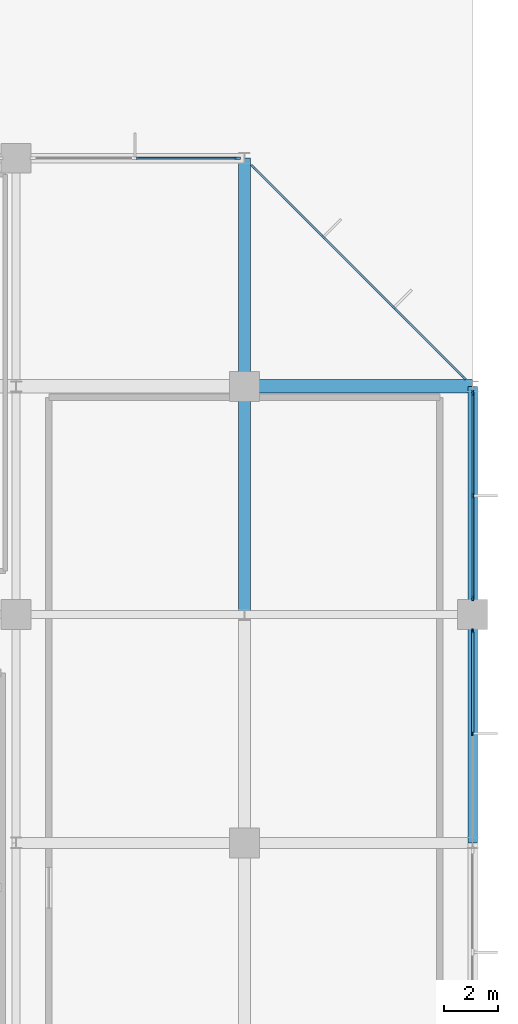
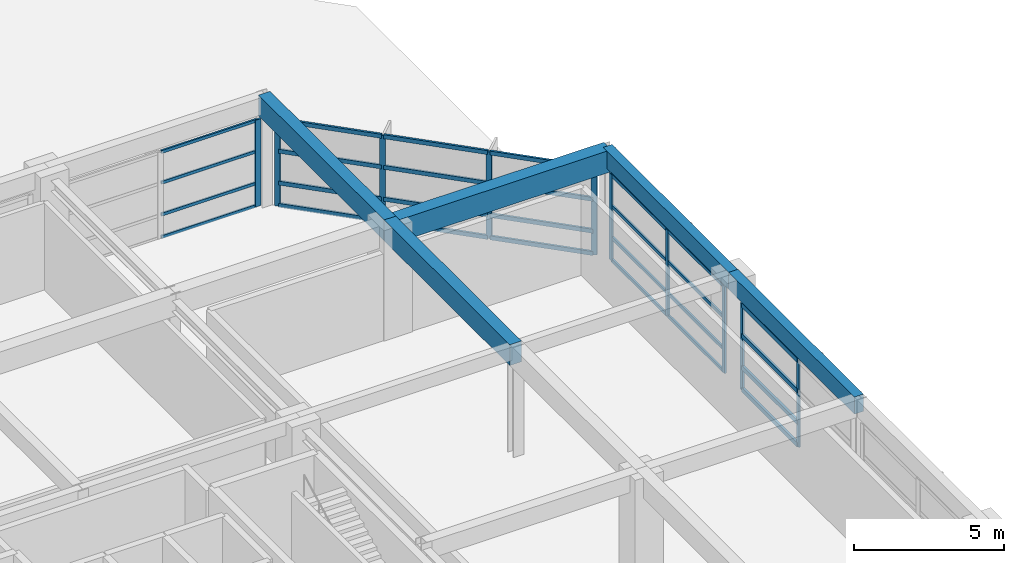
# One storey, part 35 of 47: 38 members, 5 beams, 4 elements without a shape of their own.
"""IFC4 building model written with IfcOpenShell, lengths in metres."""

from ifc_helpers import new_model, si_unit, direction, frame, origin, origin_2d, place, context, subcontext, project, spatial, rectangle, extrude, material, material_profile, profile_set, type_object, element, aggregate, save


model = new_model("IFC4")

# Units and contexts
model_context = context("Model", 3, precision=1e-05, world=origin(), true_north=direction((0.0, 1.0)))
body_context = subcontext(model_context, "Body", "Model", "MODEL_VIEW")
ifc_project = project(units=[si_unit("LENGTHUNIT", "METRE"), si_unit("AREAUNIT", "SQUARE_METRE"), si_unit("VOLUMEUNIT", "CUBIC_METRE"), si_unit("PLANEANGLEUNIT", "RADIAN"), si_unit("MASSUNIT", "GRAM", prefix="KILO")], contexts=[model_context])

# Site, building, storey
site_placement = place(None, origin())
site = spatial("IfcSite", under=ifc_project, at=site_placement, CompositionType="ELEMENT")
building_placement = place(site_placement, origin())
building = spatial("IfcBuilding", under=site, at=building_placement, Name="Xuanlan Plaza Opera House", CompositionType="ELEMENT")
storey_placement = place(building_placement, frame((0.0, 0.0, 23.39990234375)))
storey = spatial("IfcBuildingStorey", under=building, at=storey_placement, Name="L05", CompositionType="ELEMENT", Elevation=23.39990234375)

# Curtain wall, members
ifc_material_1 = material(Name="Anodised Aluminium 6063-T6 and Low-E Glass", Category="aluminium")
curtain_wall_type_1 = type_object("IfcCurtainWallType", Name="ENV-CW-CW-02", PredefinedType="USERDEFINED", material=ifc_material_1)
curtain_wall_1_placement = place(storey_placement, origin())
curtain_wall_1 = element("IfcCurtainWall", 1, at=curtain_wall_1_placement, inside=storey, type_object=curtain_wall_type_1, Name="Unitised Curtain Wall L05-019", ObjectType="UNITISED CURTAIN WALL", PredefinedType="USERDEFINED")
ifc_material_2 = material(Name="Anodised Aluminium 6063-T6", Category="aluminium")
ifc_material_profile_1 = material_profile(ifc_material_2, rectangle(XDim=0.06494140625, YDim=0.159912109375, at=origin_2d()), Name="ALU-M 65x160")
ifc_profile_set_1 = profile_set([ifc_material_profile_1], Name="Anodised Aluminium 6063-T6")
member_type_1 = type_object("IfcMemberType", Name="ENV-CWM-01", PredefinedType="MULLION", material=ifc_profile_set_1)
member_1_placement = place(storey_placement, frame((168.0, 62.824951171875, 0.0), z_axis=(0.0, 0.0, 1.0), x_axis=(-1.0, 0.0, 0.0)))
member_1 = element("IfcMember", 2, at=member_1_placement, type_object=member_type_1, Name="CW-02 mullion 2", PredefinedType="MULLION", context=body_context, shape_type="SweptSolid", body=[
    extrude(rectangle(XDim=0.06494140625, YDim=0.159912109375, at=origin_2d()), origin(), (0.0, 0.0, 1.0), 3.5400390625),
])
member_2_placement = place(storey_placement, frame((168.0, 66.597412109375, 0.0), z_axis=(0.0, 0.0, 1.0), x_axis=(-1.0, 0.0, 0.0)))
member_2 = element("IfcMember", 3, at=member_2_placement, type_object=member_type_1, Name="CW-02 mullion 3", PredefinedType="MULLION", context=body_context, shape_type="SweptSolid", body=[
    extrude(rectangle(XDim=0.06494140625, YDim=0.159912109375, at=origin_2d()), origin(), (0.0, 0.0, 1.0), 3.5400390625),
])

curtain_wall_type_2 = type_object("IfcCurtainWallType", Name="ENV-CW-CW-03", PredefinedType="USERDEFINED", material=ifc_material_1)
curtain_wall_2_placement = place(storey_placement, origin())
curtain_wall_2 = element("IfcCurtainWall", 4, at=curtain_wall_2_placement, inside=storey, type_object=curtain_wall_type_2, Name="Unitised Curtain Wall L05-020", ObjectType="UNITISED CURTAIN WALL", PredefinedType="USERDEFINED")
ifc_material_profile_2 = material_profile(ifc_material_2, rectangle(XDim=0.070068359375, YDim=0.179931640625, at=origin_2d()), Name="ALU-M 70x180")
ifc_profile_set_2 = profile_set([ifc_material_profile_2], Name="Anodised Aluminium 6063-T6")
member_type_2 = type_object("IfcMemberType", Name="ENV-CWM-02", PredefinedType="MULLION", material=ifc_profile_set_2)
member_3_placement = place(storey_placement, frame((168.0, 67.804931640625, 0.0), z_axis=(0.0, 0.0, 1.0), x_axis=(-1.0, 0.0, 0.0)))
member_3 = element("IfcMember", 5, at=member_3_placement, type_object=member_type_2, Name="CW-03 mullion 1", PredefinedType="MULLION", context=body_context, shape_type="SweptSolid", body=[
    extrude(rectangle(XDim=0.070068359375, YDim=0.179931640625, at=origin_2d()), origin(), (0.0, 0.0, 1.0), 3.5400390625),
])
member_4_placement = place(storey_placement, frame((168.0, 71.574951171875, 0.0), z_axis=(0.0, 0.0, 1.0), x_axis=(-1.0, 0.0, 0.0)))
member_4 = element("IfcMember", 6, at=member_4_placement, type_object=member_type_2, Name="CW-03 mullion 2", PredefinedType="MULLION", context=body_context, shape_type="SweptSolid", body=[
    extrude(rectangle(XDim=0.070068359375, YDim=0.179931640625, at=origin_2d()), origin(), (0.0, 0.0, 1.0), 3.5400390625),
])
member_5_placement = place(storey_placement, frame((168.0, 75.344970703125, 0.0), z_axis=(0.0, 0.0, 1.0), x_axis=(-1.0, 0.0, 0.0)))
member_5 = element("IfcMember", 7, at=member_5_placement, type_object=member_type_2, Name="CW-03 mullion 3", PredefinedType="MULLION", context=body_context, shape_type="SweptSolid", body=[
    extrude(rectangle(XDim=0.070068359375, YDim=0.179931640625, at=origin_2d()), origin(), (0.0, 0.0, 1.0), 3.5400390625),
])

curtain_wall_type_3 = type_object("IfcCurtainWallType", Name="ENV-CW-CW-04", PredefinedType="USERDEFINED", material=ifc_material_1)
curtain_wall_3_placement = place(storey_placement, origin())
curtain_wall_3 = element("IfcCurtainWall", 8, at=curtain_wall_3_placement, inside=storey, type_object=curtain_wall_type_3, Name="Unitised Curtain Wall L05-021", ObjectType="UNITISED CURTAIN WALL", PredefinedType="USERDEFINED")
ifc_material_profile_3 = material_profile(ifc_material_2, rectangle(XDim=0.074951171875, YDim=0.199951171875, at=origin_2d()), Name="ALU-M 75x200")
ifc_profile_set_3 = profile_set([ifc_material_profile_3], Name="Anodised Aluminium 6063-T6")
member_type_3 = type_object("IfcMemberType", Name="ENV-CWM-03", PredefinedType="MULLION", material=ifc_profile_set_3)
member_6_placement = place(storey_placement, frame((167.674560546875, 75.925537109375, 0.0), z_axis=(0.0, 0.0, 1.0), x_axis=(-0.707106781187, -0.707106781187, 0.0)))
member_6 = element("IfcMember", 9, at=member_6_placement, type_object=member_type_3, Name="CW-04 mullion 1", PredefinedType="MULLION", context=body_context, shape_type="SweptSolid", body=[
    extrude(rectangle(XDim=0.074951171875, YDim=0.199951171875, at=origin_2d()), origin(), (0.0, 0.0, 1.0), 3.5400390625),
])
member_7_placement = place(storey_placement, frame((165.100341796875, 78.499755859375, 0.0), z_axis=(0.0, 0.0, 1.0), x_axis=(-0.707106781187, -0.707106781187, 0.0)))
member_7 = element("IfcMember", 10, at=member_7_placement, type_object=member_type_3, Name="CW-04 mullion 2", PredefinedType="MULLION", context=body_context, shape_type="SweptSolid", body=[
    extrude(rectangle(XDim=0.074951171875, YDim=0.199951171875, at=origin_2d()), origin(), (0.0, 0.0, 1.0), 3.5400390625),
])
member_8_placement = place(storey_placement, frame((162.499755859375, 81.100341796875, 0.0), z_axis=(0.0, 0.0, 1.0), x_axis=(-0.707106781187, -0.707106781187, 0.0)))
member_8 = element("IfcMember", 11, at=member_8_placement, type_object=member_type_3, Name="CW-04 mullion 3", PredefinedType="MULLION", context=body_context, shape_type="SweptSolid", body=[
    extrude(rectangle(XDim=0.074951171875, YDim=0.199951171875, at=origin_2d()), origin(), (0.0, 0.0, 1.0), 3.5400390625),
])
member_9_placement = place(storey_placement, frame((159.925537109375, 83.674560546875, 0.0), z_axis=(0.0, 0.0, 1.0), x_axis=(-0.707106781187, -0.707106781187, 0.0)))
member_9 = element("IfcMember", 12, at=member_9_placement, type_object=member_type_3, Name="CW-04 mullion 4", PredefinedType="MULLION", context=body_context, shape_type="SweptSolid", body=[
    extrude(rectangle(XDim=0.074951171875, YDim=0.199951171875, at=origin_2d()), origin(), (0.0, 0.0, 1.0), 3.5400390625),
])

curtain_wall_type_4 = type_object("IfcCurtainWallType", Name="ENV-CW-CW-01", PredefinedType="USERDEFINED", material=ifc_material_1)
curtain_wall_4_placement = place(storey_placement, origin())
curtain_wall_4 = element("IfcCurtainWall", 13, at=curtain_wall_4_placement, inside=storey, type_object=curtain_wall_type_4, Name="Unitised Curtain Wall L05-022", ObjectType="UNITISED CURTAIN WALL", PredefinedType="USERDEFINED")
ifc_material_profile_4 = material_profile(ifc_material_2, rectangle(XDim=0.080078125, YDim=0.219970703125, at=origin_2d()), Name="ALU-M 80x220")
ifc_profile_set_4 = profile_set([ifc_material_profile_4], Name="Anodised Aluminium 6063-T6")
member_type_4 = type_object("IfcMemberType", Name="ENV-CWM-04", PredefinedType="MULLION", material=ifc_profile_set_4)
member_10_placement = place(storey_placement, frame((159.340087890625, 84.0, 0.0), z_axis=(0.0, 0.0, 1.0), x_axis=(0.0, -1.0, 0.0)))
member_10 = element("IfcMember", 14, at=member_10_placement, type_object=member_type_4, Name="CW-01 mullion 1", PredefinedType="MULLION", context=body_context, shape_type="SweptSolid", body=[
    extrude(rectangle(XDim=0.080078125, YDim=0.219970703125, at=origin_2d()), origin(), (0.0, 0.0, 1.0), 3.5400390625),
])
ifc_material_profile_5 = material_profile(ifc_material_2, rectangle(XDim=0.06494140625, YDim=0.1201171875, at=origin_2d()), Name="ALU-T 65x120")
ifc_profile_set_5 = profile_set([ifc_material_profile_5], Name="Anodised Aluminium 6063-T6")
member_type_5 = type_object("IfcMemberType", Name="ENV-CWT-01", PredefinedType="USERDEFINED", material=ifc_profile_set_5)
member_11_placement = place(storey_placement, frame((159.300048828125, 84.0, 0.03271484375), z_axis=(-1.0, 0.0, 0.0), x_axis=(0.0, -1.0, 0.0)))
member_11 = element("IfcMember", 15, at=member_11_placement, type_object=member_type_5, Name="CW-01 transom 1.1", ObjectType="TRANSOM", PredefinedType="USERDEFINED", context=body_context, shape_type="SweptSolid", body=[
    extrude(rectangle(XDim=0.06494140625, YDim=0.1201171875, at=origin_2d()), origin(), (0.0, 0.0, 1.0), 3.68505859375),
])
member_12_placement = place(storey_placement, frame((159.300048828125, 84.0, 0.9501953125), z_axis=(-1.0, 0.0, 0.0), x_axis=(0.0, -1.0, 0.0)))
member_12 = element("IfcMember", 16, at=member_12_placement, type_object=member_type_5, Name="CW-01 transom 1.2", ObjectType="TRANSOM", PredefinedType="USERDEFINED", context=body_context, shape_type="SweptSolid", body=[
    extrude(rectangle(XDim=0.06494140625, YDim=0.1201171875, at=origin_2d()), origin(), (0.0, 0.0, 1.0), 3.68505859375),
])
member_13_placement = place(storey_placement, frame((159.300048828125, 84.0, 2.25), z_axis=(-1.0, 0.0, 0.0), x_axis=(0.0, -1.0, 0.0)))
member_13 = element("IfcMember", 17, at=member_13_placement, type_object=member_type_5, Name="CW-01 transom 1.3", ObjectType="TRANSOM", PredefinedType="USERDEFINED", context=body_context, shape_type="SweptSolid", body=[
    extrude(rectangle(XDim=0.06494140625, YDim=0.1201171875, at=origin_2d()), origin(), (0.0, 0.0, 1.0), 3.68505859375),
])
member_14_placement = place(storey_placement, frame((159.300048828125, 84.0, 3.507568359375), z_axis=(-1.0, 0.0, 0.0), x_axis=(0.0, -1.0, 0.0)))
member_14 = element("IfcMember", 18, at=member_14_placement, type_object=member_type_5, Name="CW-01 transom 1.4", ObjectType="TRANSOM", PredefinedType="USERDEFINED", context=body_context, shape_type="SweptSolid", body=[
    extrude(rectangle(XDim=0.06494140625, YDim=0.1201171875, at=origin_2d()), origin(), (0.0, 0.0, 1.0), 3.68505859375),
])
aggregate(curtain_wall_4, [member_10, member_11, member_12, member_13, member_14])

# Member
ifc_material_profile_6 = material_profile(ifc_material_2, rectangle(XDim=0.070068359375, YDim=0.135009765625, at=origin_2d()), Name="ALU-T 70x135")
ifc_profile_set_6 = profile_set([ifc_material_profile_6], Name="Anodised Aluminium 6063-T6")
member_type_6 = type_object("IfcMemberType", Name="ENV-CWT-02", PredefinedType="USERDEFINED", material=ifc_profile_set_6)
member_15_placement = place(storey_placement, frame((168.0, 67.840087890625, 0.03515625), z_axis=(0.0, 1.0, 0.0), x_axis=(-1.0, 0.0, 0.0)))
member_15 = element("IfcMember", 19, at=member_15_placement, type_object=member_type_6, Name="CW-03 transom 1.1", ObjectType="TRANSOM", PredefinedType="USERDEFINED", context=body_context, shape_type="SweptSolid", body=[
    extrude(rectangle(XDim=0.070068359375, YDim=0.135009765625, at=origin_2d()), origin(), (0.0, 0.0, 1.0), 3.699951171875),
])

member_16_placement = place(storey_placement, frame((168.0, 67.840087890625, 0.9501953125), z_axis=(0.0, 1.0, 0.0), x_axis=(-1.0, 0.0, 0.0)))
member_16 = element("IfcMember", 20, at=member_16_placement, type_object=member_type_6, Name="CW-03 transom 1.2", ObjectType="TRANSOM", PredefinedType="USERDEFINED", context=body_context, shape_type="SweptSolid", body=[
    extrude(rectangle(XDim=0.070068359375, YDim=0.135009765625, at=origin_2d()), origin(), (0.0, 0.0, 1.0), 3.699951171875),
])

member_17_placement = place(storey_placement, frame((168.0, 67.840087890625, 2.25), z_axis=(0.0, 1.0, 0.0), x_axis=(-1.0, 0.0, 0.0)))
member_17 = element("IfcMember", 21, at=member_17_placement, type_object=member_type_6, Name="CW-03 transom 1.3", ObjectType="TRANSOM", PredefinedType="USERDEFINED", context=body_context, shape_type="SweptSolid", body=[
    extrude(rectangle(XDim=0.070068359375, YDim=0.135009765625, at=origin_2d()), origin(), (0.0, 0.0, 1.0), 3.699951171875),
])

member_18_placement = place(storey_placement, frame((168.0, 67.840087890625, 3.505126953125), z_axis=(0.0, 1.0, 0.0), x_axis=(-1.0, 0.0, 0.0)))
member_18 = element("IfcMember", 22, at=member_18_placement, type_object=member_type_6, Name="CW-03 transom 1.4", ObjectType="TRANSOM", PredefinedType="USERDEFINED", context=body_context, shape_type="SweptSolid", body=[
    extrude(rectangle(XDim=0.070068359375, YDim=0.135009765625, at=origin_2d()), origin(), (0.0, 0.0, 1.0), 3.699951171875),
])

member_19_placement = place(storey_placement, frame((168.0, 71.610107421875, 0.03515625), z_axis=(0.0, 1.0, 0.0), x_axis=(-1.0, 0.0, 0.0)))
member_19 = element("IfcMember", 23, at=member_19_placement, type_object=member_type_6, Name="CW-03 transom 2.1", ObjectType="TRANSOM", PredefinedType="USERDEFINED", context=body_context, shape_type="SweptSolid", body=[
    extrude(rectangle(XDim=0.070068359375, YDim=0.135009765625, at=origin_2d()), origin(), (0.0, 0.0, 1.0), 3.699951171875),
])

member_20_placement = place(storey_placement, frame((168.0, 71.610107421875, 0.9501953125), z_axis=(0.0, 1.0, 0.0), x_axis=(-1.0, 0.0, 0.0)))
member_20 = element("IfcMember", 24, at=member_20_placement, type_object=member_type_6, Name="CW-03 transom 2.2", ObjectType="TRANSOM", PredefinedType="USERDEFINED", context=body_context, shape_type="SweptSolid", body=[
    extrude(rectangle(XDim=0.070068359375, YDim=0.135009765625, at=origin_2d()), origin(), (0.0, 0.0, 1.0), 3.699951171875),
])

member_21_placement = place(storey_placement, frame((168.0, 71.610107421875, 2.25), z_axis=(0.0, 1.0, 0.0), x_axis=(-1.0, 0.0, 0.0)))
member_21 = element("IfcMember", 25, at=member_21_placement, type_object=member_type_6, Name="CW-03 transom 2.3", ObjectType="TRANSOM", PredefinedType="USERDEFINED", context=body_context, shape_type="SweptSolid", body=[
    extrude(rectangle(XDim=0.070068359375, YDim=0.135009765625, at=origin_2d()), origin(), (0.0, 0.0, 1.0), 3.699951171875),
])

member_22_placement = place(storey_placement, frame((168.0, 71.610107421875, 3.505126953125), z_axis=(0.0, 1.0, 0.0), x_axis=(-1.0, 0.0, 0.0)))
member_22 = element("IfcMember", 26, at=member_22_placement, type_object=member_type_6, Name="CW-03 transom 2.4", ObjectType="TRANSOM", PredefinedType="USERDEFINED", context=body_context, shape_type="SweptSolid", body=[
    extrude(rectangle(XDim=0.070068359375, YDim=0.135009765625, at=origin_2d()), origin(), (0.0, 0.0, 1.0), 3.699951171875),
])

aggregate(curtain_wall_2, [member_3, member_4, member_5, member_15, member_16, member_17, member_18, member_19, member_20, member_21, member_22])

ifc_material_profile_7 = material_profile(ifc_material_2, rectangle(XDim=0.080078125, YDim=0.1650390625, at=origin_2d()), Name="ALU-T 80x165")
ifc_profile_set_7 = profile_set([ifc_material_profile_7], Name="Anodised Aluminium 6063-T6")
member_type_7 = type_object("IfcMemberType", Name="ENV-CWT-04", PredefinedType="USERDEFINED", material=ifc_profile_set_7)
member_23_placement = place(storey_placement, frame((167.64794921875, 75.9521484375, 0.0400390625), z_axis=(-0.707106781187, 0.707106781187, 0.0), x_axis=(-0.707106781187, -0.707106781187, 0.0)))
member_23 = element("IfcMember", 27, at=member_23_placement, type_object=member_type_7, Name="CW-04 transom 1.1", ObjectType="TRANSOM", PredefinedType="USERDEFINED", context=body_context, shape_type="SweptSolid", body=[
    extrude(rectangle(XDim=0.080078125, YDim=0.1650390625, at=origin_2d()), origin(), (0.0, 0.0, 1.0), 3.565185546875),
])

member_24_placement = place(storey_placement, frame((167.64794921875, 75.9521484375, 0.9501953125), z_axis=(-0.707106781187, 0.707106781187, 0.0), x_axis=(-0.707106781187, -0.707106781187, 0.0)))
member_24 = element("IfcMember", 28, at=member_24_placement, type_object=member_type_7, Name="CW-04 transom 1.2", ObjectType="TRANSOM", PredefinedType="USERDEFINED", context=body_context, shape_type="SweptSolid", body=[
    extrude(rectangle(XDim=0.080078125, YDim=0.1650390625, at=origin_2d()), origin(), (0.0, 0.0, 1.0), 3.565185546875),
])

member_25_placement = place(storey_placement, frame((167.64794921875, 75.9521484375, 2.25), z_axis=(-0.707106781187, 0.707106781187, 0.0), x_axis=(-0.707106781187, -0.707106781187, 0.0)))
member_25 = element("IfcMember", 29, at=member_25_placement, type_object=member_type_7, Name="CW-04 transom 1.3", ObjectType="TRANSOM", PredefinedType="USERDEFINED", context=body_context, shape_type="SweptSolid", body=[
    extrude(rectangle(XDim=0.080078125, YDim=0.1650390625, at=origin_2d()), origin(), (0.0, 0.0, 1.0), 3.565185546875),
])

member_26_placement = place(storey_placement, frame((167.64794921875, 75.9521484375, 3.5), z_axis=(-0.707106781187, 0.707106781187, 0.0), x_axis=(-0.707106781187, -0.707106781187, 0.0)))
member_26 = element("IfcMember", 30, at=member_26_placement, type_object=member_type_7, Name="CW-04 transom 1.4", ObjectType="TRANSOM", PredefinedType="USERDEFINED", context=body_context, shape_type="SweptSolid", body=[
    extrude(rectangle(XDim=0.080078125, YDim=0.1650390625, at=origin_2d()), origin(), (0.0, 0.0, 1.0), 3.565185546875),
])

member_27_placement = place(storey_placement, frame((165.07373046875, 78.526123046875, 0.0400390625), z_axis=(-0.707106781187, 0.707106781187, 0.0), x_axis=(-0.707106781187, -0.707106781187, 0.0)))
member_27 = element("IfcMember", 31, at=member_27_placement, type_object=member_type_7, Name="CW-04 transom 2.1", ObjectType="TRANSOM", PredefinedType="USERDEFINED", context=body_context, shape_type="SweptSolid", body=[
    extrude(rectangle(XDim=0.080078125, YDim=0.1650390625, at=origin_2d()), origin(), (0.0, 0.0, 1.0), 3.602783203125),
])

member_28_placement = place(storey_placement, frame((165.07373046875, 78.526123046875, 0.9501953125), z_axis=(-0.707106781187, 0.707106781187, 0.0), x_axis=(-0.707106781187, -0.707106781187, 0.0)))
member_28 = element("IfcMember", 32, at=member_28_placement, type_object=member_type_7, Name="CW-04 transom 2.2", ObjectType="TRANSOM", PredefinedType="USERDEFINED", context=body_context, shape_type="SweptSolid", body=[
    extrude(rectangle(XDim=0.080078125, YDim=0.1650390625, at=origin_2d()), origin(), (0.0, 0.0, 1.0), 3.602783203125),
])

member_29_placement = place(storey_placement, frame((165.07373046875, 78.526123046875, 2.25), z_axis=(-0.707106781187, 0.707106781187, 0.0), x_axis=(-0.707106781187, -0.707106781187, 0.0)))
member_29 = element("IfcMember", 33, at=member_29_placement, type_object=member_type_7, Name="CW-04 transom 2.3", ObjectType="TRANSOM", PredefinedType="USERDEFINED", context=body_context, shape_type="SweptSolid", body=[
    extrude(rectangle(XDim=0.080078125, YDim=0.1650390625, at=origin_2d()), origin(), (0.0, 0.0, 1.0), 3.602783203125),
])

member_30_placement = place(storey_placement, frame((165.07373046875, 78.526123046875, 3.5), z_axis=(-0.707106781187, 0.707106781187, 0.0), x_axis=(-0.707106781187, -0.707106781187, 0.0)))
member_30 = element("IfcMember", 34, at=member_30_placement, type_object=member_type_7, Name="CW-04 transom 2.4", ObjectType="TRANSOM", PredefinedType="USERDEFINED", context=body_context, shape_type="SweptSolid", body=[
    extrude(rectangle(XDim=0.080078125, YDim=0.1650390625, at=origin_2d()), origin(), (0.0, 0.0, 1.0), 3.602783203125),
])

member_31_placement = place(storey_placement, frame((162.47314453125, 81.126953125, 0.0400390625), z_axis=(-0.707106781187, 0.707106781187, 0.0), x_axis=(-0.707106781187, -0.707106781187, 0.0)))
member_31 = element("IfcMember", 35, at=member_31_placement, type_object=member_type_7, Name="CW-04 transom 3.1", ObjectType="TRANSOM", PredefinedType="USERDEFINED", context=body_context, shape_type="SweptSolid", body=[
    extrude(rectangle(XDim=0.080078125, YDim=0.1650390625, at=origin_2d()), origin(), (0.0, 0.0, 1.0), 3.565185546875),
])

member_32_placement = place(storey_placement, frame((162.47314453125, 81.126953125, 0.9501953125), z_axis=(-0.707106781187, 0.707106781187, 0.0), x_axis=(-0.707106781187, -0.707106781187, 0.0)))
member_32 = element("IfcMember", 36, at=member_32_placement, type_object=member_type_7, Name="CW-04 transom 3.2", ObjectType="TRANSOM", PredefinedType="USERDEFINED", context=body_context, shape_type="SweptSolid", body=[
    extrude(rectangle(XDim=0.080078125, YDim=0.1650390625, at=origin_2d()), origin(), (0.0, 0.0, 1.0), 3.565185546875),
])

member_33_placement = place(storey_placement, frame((162.47314453125, 81.126953125, 2.25), z_axis=(-0.707106781187, 0.707106781187, 0.0), x_axis=(-0.707106781187, -0.707106781187, 0.0)))
member_33 = element("IfcMember", 37, at=member_33_placement, type_object=member_type_7, Name="CW-04 transom 3.3", ObjectType="TRANSOM", PredefinedType="USERDEFINED", context=body_context, shape_type="SweptSolid", body=[
    extrude(rectangle(XDim=0.080078125, YDim=0.1650390625, at=origin_2d()), origin(), (0.0, 0.0, 1.0), 3.565185546875),
])

member_34_placement = place(storey_placement, frame((162.47314453125, 81.126953125, 3.5), z_axis=(-0.707106781187, 0.707106781187, 0.0), x_axis=(-0.707106781187, -0.707106781187, 0.0)))
member_34 = element("IfcMember", 38, at=member_34_placement, type_object=member_type_7, Name="CW-04 transom 3.4", ObjectType="TRANSOM", PredefinedType="USERDEFINED", context=body_context, shape_type="SweptSolid", body=[
    extrude(rectangle(XDim=0.080078125, YDim=0.1650390625, at=origin_2d()), origin(), (0.0, 0.0, 1.0), 3.565185546875),
])

aggregate(curtain_wall_3, [member_6, member_7, member_8, member_9, member_23, member_24, member_25, member_26, member_27, member_28, member_29, member_30, member_31, member_32, member_33, member_34])

ifc_material_profile_8 = material_profile(ifc_material_2, rectangle(XDim=0.090087890625, YDim=0.179931640625, at=origin_2d()), Name="ALU-T 90x180")
ifc_profile_set_8 = profile_set([ifc_material_profile_8], Name="Anodised Aluminium 6063-T6")
member_type_8 = type_object("IfcMemberType", Name="ENV-CWT-05", PredefinedType="USERDEFINED", material=ifc_profile_set_8)
member_35_placement = place(storey_placement, frame((168.0, 62.857421875, 0.045166015625), z_axis=(0.0, 1.0, 0.0), x_axis=(-1.0, 0.0, 0.0)))
member_35 = element("IfcMember", 39, at=member_35_placement, type_object=member_type_8, Name="CW-02 transom 2.1", ObjectType="TRANSOM", PredefinedType="USERDEFINED", context=body_context, shape_type="SweptSolid", body=[
    extrude(rectangle(XDim=0.090087890625, YDim=0.179931640625, at=origin_2d()), origin(), (0.0, 0.0, 1.0), 3.70751953125),
])

member_36_placement = place(storey_placement, frame((168.0, 62.857421875, 0.9501953125), z_axis=(0.0, 1.0, 0.0), x_axis=(-1.0, 0.0, 0.0)))
member_36 = element("IfcMember", 40, at=member_36_placement, type_object=member_type_8, Name="CW-02 transom 2.2", ObjectType="TRANSOM", PredefinedType="USERDEFINED", context=body_context, shape_type="SweptSolid", body=[
    extrude(rectangle(XDim=0.090087890625, YDim=0.179931640625, at=origin_2d()), origin(), (0.0, 0.0, 1.0), 3.70751953125),
])

member_37_placement = place(storey_placement, frame((168.0, 62.857421875, 2.25), z_axis=(0.0, 1.0, 0.0), x_axis=(-1.0, 0.0, 0.0)))
member_37 = element("IfcMember", 41, at=member_37_placement, type_object=member_type_8, Name="CW-02 transom 2.3", ObjectType="TRANSOM", PredefinedType="USERDEFINED", context=body_context, shape_type="SweptSolid", body=[
    extrude(rectangle(XDim=0.090087890625, YDim=0.179931640625, at=origin_2d()), origin(), (0.0, 0.0, 1.0), 3.70751953125),
])

member_38_placement = place(storey_placement, frame((168.0, 62.857421875, 3.4951171875), z_axis=(0.0, 1.0, 0.0), x_axis=(-1.0, 0.0, 0.0)))
member_38 = element("IfcMember", 42, at=member_38_placement, type_object=member_type_8, Name="CW-02 transom 2.4", ObjectType="TRANSOM", PredefinedType="USERDEFINED", context=body_context, shape_type="SweptSolid", body=[
    extrude(rectangle(XDim=0.090087890625, YDim=0.179931640625, at=origin_2d()), origin(), (0.0, 0.0, 1.0), 3.70751953125),
])

aggregate(curtain_wall_1, [member_1, member_2, member_35, member_36, member_37, member_38])

# Beams
ifc_material_3 = material(Name="Concrete C40", Category="concrete")
ifc_material_profile_9 = material_profile(ifc_material_3, rectangle(XDim=0.5, YDim=0.89990234375, at=origin_2d()), Name="RC-BM 500x900")
ifc_profile_set_9 = profile_set([ifc_material_profile_9], Name="Concrete C40")
beam_type_1 = type_object("IfcBeamType", Name="STR-BM-B-03", PredefinedType="BEAM", material=ifc_profile_set_9)
beam_1_placement = place(storey_placement, frame((159.60009765625, 75.60009765625, 4.050048828125), z_axis=(1.0, 0.0, 0.0), x_axis=(0.0, 1.0, 0.0)))
element("IfcBeam", 43, at=beam_1_placement, inside=storey, type_object=beam_type_1, Name="Grid Beam X L05 20-21/J", PredefinedType="BEAM", context=body_context, shape_type="SweptSolid", body=[
    extrude(rectangle(XDim=0.5, YDim=0.89990234375, at=origin_2d()), origin(), (0.0, 0.0, 1.0), 8.39990234375),
])
ifc_material_profile_10 = material_profile(ifc_material_3, rectangle(XDim=0.449951171875, YDim=0.85009765625, at=origin_2d()), Name="RC-BM 450x850")
ifc_profile_set_10 = profile_set([ifc_material_profile_10], Name="Concrete C40")
beam_type_2 = type_object("IfcBeamType", Name="STR-BM-B-04", PredefinedType="BEAM", material=ifc_profile_set_10)
beam_2_placement = place(storey_placement, frame((159.60009765625, 67.199951171875, 4.0751953125), z_axis=(0.0, 1.0, 0.0), x_axis=(-1.0, 0.0, 0.0)))
element("IfcBeam", 44, at=beam_2_placement, inside=storey, type_object=beam_type_2, Name="Grid Beam Y L05 20/I-J", PredefinedType="BEAM", context=body_context, shape_type="SweptSolid", body=[
    extrude(rectangle(XDim=0.449951171875, YDim=0.85009765625, at=origin_2d()), origin(), (0.0, 0.0, 1.0), 8.400146484375),
])
beam_3_placement = place(storey_placement, frame((159.60009765625, 75.60009765625, 4.0751953125), z_axis=(0.0, 1.0, 0.0), x_axis=(-1.0, 0.0, 0.0)))
element("IfcBeam", 45, at=beam_3_placement, inside=storey, type_object=beam_type_2, Name="Grid Beam Y L05 20/J-K", PredefinedType="BEAM", context=body_context, shape_type="SweptSolid", body=[
    extrude(rectangle(XDim=0.449951171875, YDim=0.85009765625, at=origin_2d()), origin(), (0.0, 0.0, 1.0), 8.39990234375),
])
ifc_material_profile_11 = material_profile(ifc_material_3, rectangle(XDim=0.35009765625, YDim=0.699951171875, at=origin_2d()), Name="RC-SPD 350x700")
ifc_profile_set_11 = profile_set([ifc_material_profile_11], Name="Concrete C40")
beam_type_3 = type_object("IfcBeamType", Name="STR-BM-SP-02", PredefinedType="SPANDREL", material=ifc_profile_set_11)
beam_4_placement = place(storey_placement, frame((168.0, 58.800048828125, 4.150146484375), z_axis=(0.0, 1.0, 0.0), x_axis=(-1.0, 0.0, 0.0)))
element("IfcBeam", 46, at=beam_4_placement, inside=storey, type_object=beam_type_3, Name="Grid Beam Y L05 21/H-I", PredefinedType="SPANDREL", context=body_context, shape_type="SweptSolid", body=[
    extrude(rectangle(XDim=0.35009765625, YDim=0.699951171875, at=origin_2d()), origin(), (0.0, 0.0, 1.0), 8.39990234375),
])
beam_5_placement = place(storey_placement, frame((168.0, 67.199951171875, 4.150146484375), z_axis=(0.0, 1.0, 0.0), x_axis=(-1.0, 0.0, 0.0)))
element("IfcBeam", 47, at=beam_5_placement, inside=storey, type_object=beam_type_3, Name="Grid Beam Y L05 21/I-J", PredefinedType="SPANDREL", context=body_context, shape_type="SweptSolid", body=[
    extrude(rectangle(XDim=0.35009765625, YDim=0.699951171875, at=origin_2d()), origin(), (0.0, 0.0, 1.0), 8.400146484375),
])

save(model, "model.ifc")
